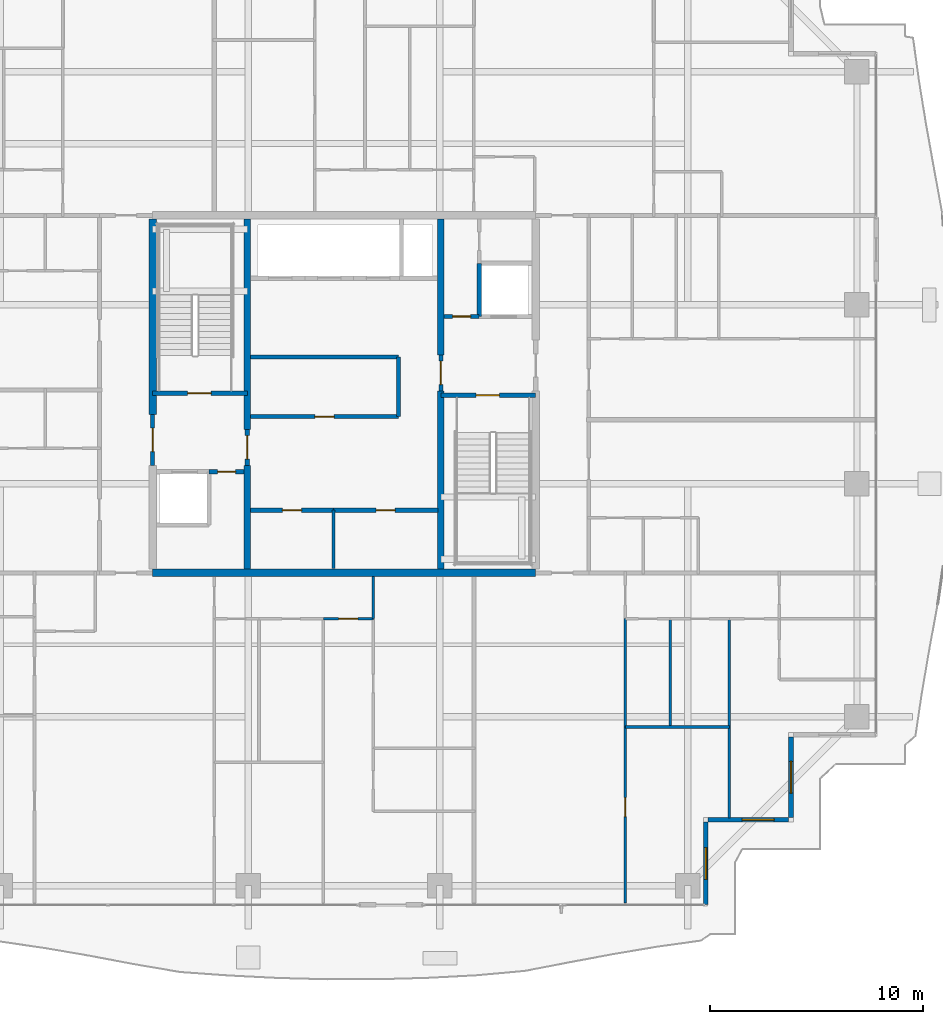
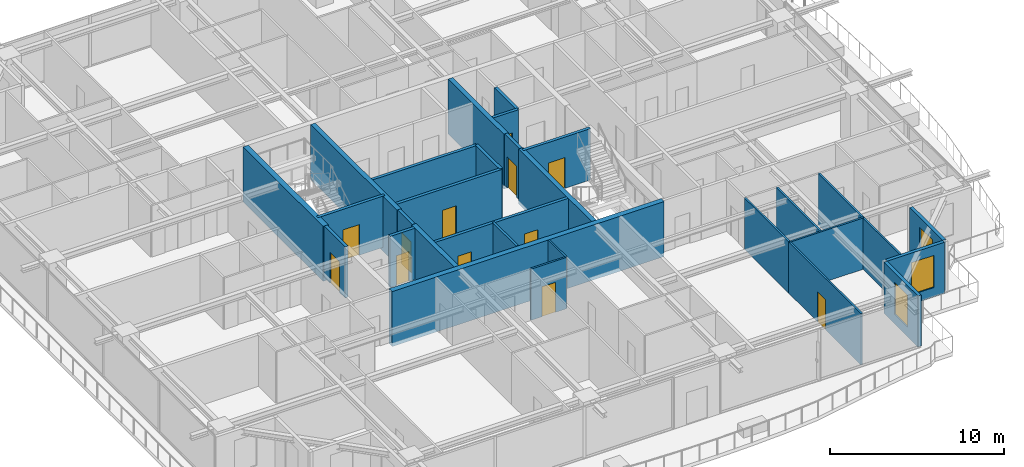
# One storey, part 27 of 38: 30 walls, 12 doors, 3 windows, 15 openings.
"""IFC4 building model written with IfcOpenShell, lengths in metres."""

from ifc_helpers import new_model, si_unit, direction, frame, frame_2d, origin, place, context, subcontext, project, spatial, rectangle, extrude, source, transform, mapped, material, layer, layer_set, type_object, element, fill, save


model = new_model("IFC4")

# Units and contexts
model_context = context("Model", 3, precision=1e-05, world=origin(), true_north=direction((0.0, 1.0)))
body_context = subcontext(model_context, "Body", "Model", "MODEL_VIEW")
ifc_project = project(units=[si_unit("LENGTHUNIT", "METRE"), si_unit("AREAUNIT", "SQUARE_METRE"), si_unit("VOLUMEUNIT", "CUBIC_METRE"), si_unit("PLANEANGLEUNIT", "RADIAN"), si_unit("MASSUNIT", "GRAM", prefix="KILO")], contexts=[model_context])

# Site, building, storey
site_placement = place(None, origin())
site = spatial("IfcSite", under=ifc_project, at=site_placement, CompositionType="ELEMENT")
building_placement = place(site_placement, origin())
building = spatial("IfcBuilding", under=site, at=building_placement, Name="Serunith Strait Residences", CompositionType="ELEMENT")
storey_placement = place(building_placement, frame((0.0, 0.0, 229.699951171875)))
storey = spatial("IfcBuildingStorey", under=building, at=storey_placement, Name="L57", CompositionType="ELEMENT", Elevation=229.699951171875)

# Wall, opening, window
ifc_material_1 = material(Name="Pale-Champagne Aluminium Insulated Panel", Category="aluminium")
ifc_layer_1 = layer(ifc_material_1, 0.219970703125, Name="Pale-Champagne Aluminium Insulated Panel")
ifc_layer_set_1 = layer_set([ifc_layer_1], Name="Pale-Champagne Aluminium Insulated Panel")
wall_type_1 = type_object("IfcWallType", Name="EW-ALUM-220", PredefinedType="ELEMENTEDWALL", material=ifc_layer_set_1)
wall_1_placement = place(storey_placement, frame((49.39990234375, 1.199951171875, 0.0), z_axis=(0.0, 0.0, 1.0), x_axis=(0.0, 1.0, 0.0)))
wall_1 = element("IfcWall", 1, at=wall_1_placement, inside=storey, type_object=wall_type_1, Name="L57 Girih Serrated Corner Wall 02", PredefinedType="ELEMENTEDWALL", context=body_context, shape_type="SweptSolid", body=[
    extrude(rectangle(XDim=3.89013671875, YDim=0.219970703125, at=frame_2d((1.945068359375, 0.0))), origin(), (0.0, 0.0, 1.0), 3.574951171875),
])
opening_1_placement = place(wall_1_placement, frame((1.195068359375, 0.0, 0.64990234375)))
opening_1 = element("IfcOpeningElement", 2, at=opening_1_placement, cuts=wall_1, Name="Opening W-05", PredefinedType="OPENING", context=body_context, shape_type="SweptSolid", body=[
    extrude(rectangle(XDim=1.5, YDim=2.25, at=frame_2d((0.75, 1.125))), frame((0.0, 0.1201171875, 0.0), z_axis=(0.0, -1.0, 0.0), x_axis=(1.0, 0.0, 0.0)), (0.0, 0.0, 1.0), 0.239990234375),
])
ifc_material_2 = material(Name="Ceramic-Fritted Operable Aluminium Window Glass", Category="aluminium")
window_type = type_object("IfcWindowType", Name="WIN-C5", PartitioningType="DOUBLE_PANEL_VERTICAL", PredefinedType="WINDOW", material=ifc_material_2)
shared_shape_1 = source(origin(), body_context, "Body", "SweptSolid", [
    extrude(rectangle(XDim=1.5, YDim=2.25, at=frame_2d((0.75, 1.125))), frame((0.0, 0.030029296875, 0.0), z_axis=(0.0, -1.0, 0.0), x_axis=(1.0, 0.0, 0.0)), (0.0, 0.0, 1.0), 0.06005859375),
])
window_1_placement = place(opening_1_placement, origin())
window_1 = element("IfcWindow", 3, at=window_1_placement, inside=storey, type_object=window_type, Name="L57 Corner Operable Fritted Window 02", OverallHeight=2.25, OverallWidth=1.5, PartitioningType="SINGLE_PANEL", PredefinedType="WINDOW", context=body_context, shape_type="MappedRepresentation", body=[
    mapped(shared_shape_1, transform((0.0, 0.0, 0.0), scale=1.0)),
])
fill(opening_1, window_1)

wall_2_placement = place(storey_placement, frame((49.510009765625, 5.199951171875, 0.0), z_axis=(0.0, 0.0, 1.0), x_axis=(1.0, 0.0, 0.0)))
wall_2 = element("IfcWall", 4, at=wall_2_placement, inside=storey, type_object=wall_type_1, Name="L57 Girih Serrated Corner Wall 03", PredefinedType="ELEMENTEDWALL", context=body_context, shape_type="SweptSolid", body=[
    extrude(rectangle(XDim=3.780029296875, YDim=0.219970703125, at=frame_2d((1.89013671875, 0.0))), origin(), (0.0, 0.0, 1.0), 3.574951171875),
])
opening_2_placement = place(wall_2_placement, frame((1.595947265625, 0.0, 0.64990234375)))
opening_2 = element("IfcOpeningElement", 5, at=opening_2_placement, cuts=wall_2, Name="Opening W-05", PredefinedType="OPENING", context=body_context, shape_type="SweptSolid", body=[
    extrude(rectangle(XDim=1.5, YDim=2.25, at=frame_2d((0.75, 1.125))), frame((0.0, 0.1201171875, 0.0), z_axis=(0.0, -1.0, 0.0), x_axis=(1.0, 0.0, 0.0)), (0.0, 0.0, 1.0), 0.239990234375),
])
window_2_placement = place(opening_2_placement, origin())
window_2 = element("IfcWindow", 6, at=window_2_placement, inside=storey, type_object=window_type, Name="L57 Corner Operable Fritted Window 03", OverallHeight=2.25, OverallWidth=1.5, PartitioningType="SINGLE_PANEL", PredefinedType="WINDOW", context=body_context, shape_type="MappedRepresentation", body=[
    mapped(shared_shape_1, transform((0.0, 0.0, 0.0), scale=1.0)),
])
fill(opening_2, window_2)

wall_3_placement = place(storey_placement, frame((53.39990234375, 5.31005859375, 0.0), z_axis=(0.0, 0.0, 1.0), x_axis=(0.0, 1.0, 0.0)))
wall_3 = element("IfcWall", 7, at=wall_3_placement, inside=storey, type_object=wall_type_1, Name="L57 Girih Serrated Corner Wall 04", PredefinedType="ELEMENTEDWALL", context=body_context, shape_type="SweptSolid", body=[
    extrude(rectangle(XDim=3.780029296875, YDim=0.219970703125, at=frame_2d((1.89013671875, 0.0))), origin(), (0.0, 0.0, 1.0), 3.574951171875),
])
opening_3_placement = place(wall_3_placement, frame((1.139892578125, 0.0, 0.64990234375)))
opening_3 = element("IfcOpeningElement", 8, at=opening_3_placement, cuts=wall_3, Name="Opening W-05", PredefinedType="OPENING", context=body_context, shape_type="SweptSolid", body=[
    extrude(rectangle(XDim=1.5, YDim=2.25, at=frame_2d((0.75, 1.125))), frame((0.0, 0.1201171875, 0.0), z_axis=(0.0, -1.0, 0.0), x_axis=(1.0, 0.0, 0.0)), (0.0, 0.0, 1.0), 0.239990234375),
])
window_3_placement = place(opening_3_placement, origin())
window_3 = element("IfcWindow", 9, at=window_3_placement, inside=storey, type_object=window_type, Name="L57 Corner Operable Fritted Window 04", OverallHeight=2.25, OverallWidth=1.5, PartitioningType="SINGLE_PANEL", PredefinedType="WINDOW", context=body_context, shape_type="MappedRepresentation", body=[
    mapped(shared_shape_1, transform((0.0, 0.0, 0.0), scale=1.0)),
])
fill(opening_3, window_3)

# Wall
ifc_material_3 = material(Name="Fire-rated masonry service closet wall", Category="masonry")
ifc_layer_2 = layer(ifc_material_3, 0.14990234375, Name="Fire-rated masonry service closet wall")
ifc_layer_set_2 = layer_set([ifc_layer_2], Name="Fire-rated masonry service closet wall")
wall_type_2 = type_object("IfcWallType", Name="IW-BOH-150", PredefinedType="PARTITIONING", material=ifc_layer_set_2)
wall_4_placement = place(storey_placement, frame((31.89990234375, 17.02001953125, 0.0), z_axis=(0.0, 0.0, 1.0), x_axis=(0.0, 1.0, 0.0)))
element("IfcWall", 10, at=wall_4_placement, inside=storey, type_object=wall_type_2, Name="L57 Partition Wall 014", PredefinedType="PARTITIONING", context=body_context, shape_type="SweptSolid", body=[
    extrude(rectangle(XDim=2.72998046875, YDim=0.14990234375, at=frame_2d((1.364990234375, 0.0))), origin(), (0.0, 0.0, 1.0), 3.590087890625),
])

# Wall, opening, door
ifc_material_4 = material(Name="Lightweight steel-stud gypsum partition", Category="steel")
ifc_layer_3 = layer(ifc_material_4, 0.1201171875, Name="Lightweight steel-stud gypsum partition")
ifc_layer_set_3 = layer_set([ifc_layer_3], Name="Lightweight steel-stud gypsum partition")
wall_type_3 = type_object("IfcWallType", Name="IW-PART-120", PredefinedType="PARTITIONING", material=ifc_layer_set_3)
wall_5_placement = place(storey_placement, frame((31.422119140625, 14.64990234375, 0.0), z_axis=(0.0, 0.0, 1.0), x_axis=(1.0, 0.0, 0.0)))
wall_5 = element("IfcWall", 11, at=wall_5_placement, inside=storey, type_object=wall_type_3, Name="L57 Partition Wall 048", PredefinedType="PARTITIONING", context=body_context, shape_type="SweptSolid", body=[
    extrude(rectangle(XDim=2.347900390625, YDim=0.1201171875, at=frame_2d((1.173828125, 0.0))), origin(), (0.0, 0.0, 1.0), 3.590087890625),
])
opening_4_placement = place(wall_5_placement, frame((0.72412109375, 0.0, 0.0)))
opening_4 = element("IfcOpeningElement", 12, at=opening_4_placement, cuts=wall_5, Name="Opening D-RM900", PredefinedType="OPENING", context=body_context, shape_type="SweptSolid", body=[
    extrude(rectangle(XDim=0.89990234375, YDim=2.10009765625, at=frame_2d((0.449951171875, 1.050048828125))), frame((0.0, 0.070068359375, 0.0), z_axis=(0.0, -1.0, 0.0), x_axis=(1.0, 0.0, 0.0)), (0.0, 0.0, 1.0), 0.14013671875),
])
ifc_material_5 = material(Name="Engineered timber flush bedroom door", Category="wood")
door_type_1 = type_object("IfcDoorType", Name="ID-ROOM-900", OperationType="NOTDEFINED", PredefinedType="DOOR", material=ifc_material_5)
shared_shape_2 = source(origin(), body_context, "Body", "SweptSolid", [
    extrude(rectangle(XDim=0.89990234375, YDim=2.10009765625, at=frame_2d((0.449951171875, 1.050048828125))), frame((0.0, 0.02490234375, 0.0), z_axis=(0.0, -1.0, 0.0), x_axis=(1.0, 0.0, 0.0)), (0.0, 0.0, 1.0), 0.050048828125),
])
door_1_placement = place(opening_4_placement, origin())
door_1 = element("IfcDoor", 13, at=door_1_placement, inside=storey, type_object=door_type_1, Name="L57 Master Bedroom E 5701 Door", OperationType="SINGLE_SWING_LEFT", OverallHeight=2.10009765625, OverallWidth=0.89990234375, PredefinedType="DOOR", context=body_context, shape_type="MappedRepresentation", body=[
    mapped(shared_shape_2, transform((0.0, 0.0, 0.0), scale=1.0)),
])
fill(opening_4, door_1)

# Wall
wall_6_placement = place(storey_placement, frame((33.77001953125, 14.652099609375, 0.0), z_axis=(0.0, 0.0, 1.0), x_axis=(0.0, 1.0, 0.0)))
element("IfcWall", 14, at=wall_6_placement, inside=storey, type_object=wall_type_3, Name="L57 Partition Wall 053", PredefinedType="PARTITIONING", context=body_context, shape_type="SweptSolid", body=[
    extrude(rectangle(XDim=1.972900390625, YDim=0.1201171875, at=frame_2d((0.986328125, 0.0))), origin(), (0.0, 0.0, 1.0), 3.590087890625),
])

# Wall, opening, door
wall_7_placement = place(storey_placement, frame((45.6201171875, 1.294921875, 0.0), z_axis=(0.0, 0.0, 1.0), x_axis=(0.0, 1.0, 0.0)))
wall_7 = element("IfcWall", 15, at=wall_7_placement, inside=storey, type_object=wall_type_3, Name="L57 Partition Wall 055", PredefinedType="PARTITIONING", context=body_context, shape_type="SweptSolid", body=[
    extrude(rectangle(XDim=8.26416015625, YDim=0.1201171875, at=frame_2d((4.132080078125, 0.0))), origin(), (0.0, 0.0, 1.0), 3.590087890625),
])
opening_5_placement = place(wall_7_placement, frame((4.050048828125, 0.0, 0.0)))
opening_5 = element("IfcOpeningElement", 16, at=opening_5_placement, cuts=wall_7, Name="Opening D-RM900", PredefinedType="OPENING", context=body_context, shape_type="SweptSolid", body=[
    extrude(rectangle(XDim=0.89990234375, YDim=2.10009765625, at=frame_2d((0.449951171875, 1.050048828125))), frame((0.0, 0.070068359375, 0.0), z_axis=(0.0, -1.0, 0.0), x_axis=(1.0, 0.0, 0.0)), (0.0, 0.0, 1.0), 0.14013671875),
])
door_2_placement = place(opening_5_placement, origin())
door_2 = element("IfcDoor", 17, at=door_2_placement, inside=storey, type_object=door_type_1, Name="L57 Formal Dining Room 1 5702 Door", OperationType="SINGLE_SWING_LEFT", OverallHeight=2.10009765625, OverallWidth=0.89990234375, PredefinedType="DOOR", context=body_context, shape_type="MappedRepresentation", body=[
    mapped(shared_shape_2, transform((0.0, 0.0, 0.0), scale=1.0)),
])
fill(opening_5, door_2)

# Walls
wall_8_placement = place(storey_placement, frame((45.6201171875, 9.56103515625, 0.0), z_axis=(0.0, 0.0, 1.0), x_axis=(0.0, 1.0, 0.0)))
element("IfcWall", 18, at=wall_8_placement, inside=storey, type_object=wall_type_3, Name="L57 Partition Wall 056", PredefinedType="PARTITIONING", context=body_context, shape_type="SweptSolid", body=[
    extrude(rectangle(XDim=5.0869140625, YDim=0.1201171875, at=frame_2d((2.54345703125, 0.0))), origin(), (0.0, 0.0, 1.0), 3.590087890625),
])
wall_9_placement = place(storey_placement, frame((45.6201171875, 9.55908203125, 0.0), z_axis=(0.0, 0.0, 1.0), x_axis=(1.0, 0.0, 0.0)))
element("IfcWall", 19, at=wall_9_placement, inside=storey, type_object=wall_type_3, Name="L57 Partition Wall 057", PredefinedType="PARTITIONING", context=body_context, shape_type="SweptSolid", body=[
    extrude(rectangle(XDim=4.8798828125, YDim=0.1201171875, at=frame_2d((2.43994140625, 0.0))), origin(), (0.0, 0.0, 1.0), 3.590087890625),
])
wall_10_placement = place(storey_placement, frame((50.5, 5.294921875, 0.0), z_axis=(0.0, 0.0, 1.0), x_axis=(0.0, 1.0, 0.0)))
element("IfcWall", 20, at=wall_10_placement, inside=storey, type_object=wall_type_3, Name="L57 Partition Wall 058", PredefinedType="PARTITIONING", context=body_context, shape_type="SweptSolid", body=[
    extrude(rectangle(XDim=9.35498046875, YDim=0.1201171875, at=frame_2d((4.677490234375, 0.0))), origin(), (0.0, 0.0, 1.0), 3.590087890625),
])
wall_11_placement = place(storey_placement, frame((47.719970703125, 9.55908203125, 0.0), z_axis=(0.0, 0.0, 1.0), x_axis=(0.0, 1.0, 0.0)))
element("IfcWall", 21, at=wall_11_placement, inside=storey, type_object=wall_type_3, Name="L57 Partition Wall 059", PredefinedType="PARTITIONING", context=body_context, shape_type="SweptSolid", body=[
    extrude(rectangle(XDim=5.0908203125, YDim=0.1201171875, at=frame_2d((2.54541015625, 0.0))), origin(), (0.0, 0.0, 1.0), 3.590087890625),
])

# Wall, opening, door
ifc_material_6 = material(Name="Autoclaved aerated concrete blockwork", Category="masonry")
ifc_layer_4 = layer(ifc_material_6, 0.199951171875, Name="Autoclaved aerated concrete blockwork")
ifc_layer_set_4 = layer_set([ifc_layer_4], Name="Autoclaved aerated concrete blockwork")
wall_type_4 = type_object("IfcWallType", Name="IW-SHAFT-200", PredefinedType="STANDARD", material=ifc_layer_set_4)
wall_12_placement = place(storey_placement, frame((23.39990234375, 25.25, 0.0), z_axis=(0.0, 0.0, 1.0), x_axis=(1.0, 0.0, 0.0)))
wall_12 = element("IfcWall", 22, at=wall_12_placement, inside=storey, type_object=wall_type_4, Name="L57 ST-1 South Shaft Wall", PredefinedType="STANDARD", context=body_context, shape_type="SweptSolid", body=[
    extrude(rectangle(XDim=4.4501953125, YDim=0.199951171875, at=frame_2d((2.22509765625, 0.0))), origin(), (0.0, 0.0, 1.0), 3.590087890625),
])
opening_6_placement = place(wall_12_placement, frame((1.64990234375, 0.0, 0.0)))
opening_6 = element("IfcOpeningElement", 23, at=opening_6_placement, cuts=wall_12, Name="Opening FD-1100", PredefinedType="OPENING", context=body_context, shape_type="SweptSolid", body=[
    extrude(rectangle(XDim=1.10009765625, YDim=2.14990234375, at=frame_2d((0.550048828125, 1.074951171875))), frame((0.0, 0.10986328125, 0.0), z_axis=(0.0, -1.0, 0.0), x_axis=(1.0, 0.0, 0.0)), (0.0, 0.0, 1.0), 0.219970703125),
])
ifc_material_7 = material(Name="Galvanised steel fire door leaf", Category="steel")
door_type_2 = type_object("IfcDoorType", Name="FD-STAIR-1100", OperationType="NOTDEFINED", PredefinedType="DOOR", material=ifc_material_7)
shared_shape_3 = source(origin(), body_context, "Body", "SweptSolid", [
    extrude(rectangle(XDim=1.10009765625, YDim=2.14990234375, at=frame_2d((0.550048828125, 1.074951171875))), frame((0.0, 0.02490234375, 0.0), z_axis=(0.0, -1.0, 0.0), x_axis=(1.0, 0.0, 0.0)), (0.0, 0.0, 1.0), 0.050048828125),
])
door_3_placement = place(opening_6_placement, origin())
door_3 = element("IfcDoor", 24, at=door_3_placement, inside=storey, type_object=door_type_2, Name="L57 ST-1 Escape Stair Door", OperationType="SINGLE_SWING_LEFT", OverallHeight=2.14990234375, OverallWidth=1.10009765625, PredefinedType="DOOR", context=body_context, shape_type="MappedRepresentation", body=[
    mapped(shared_shape_3, transform((0.0, 0.0, 0.0), scale=1.0)),
])
fill(opening_6, door_3)

wall_13_placement = place(storey_placement, frame((36.949951171875, 25.14990234375, 0.0), z_axis=(0.0, 0.0, 1.0), x_axis=(1.0, 0.0, 0.0)))
wall_13 = element("IfcWall", 25, at=wall_13_placement, inside=storey, type_object=wall_type_4, Name="L57 ST-2 North Shaft Wall", PredefinedType="STANDARD", context=body_context, shape_type="SweptSolid", body=[
    extrude(rectangle(XDim=4.449951171875, YDim=0.199951171875, at=frame_2d((2.22509765625, 0.0))), origin(), (0.0, 0.0, 1.0), 3.590087890625),
])
opening_7_placement = place(wall_13_placement, frame((1.64990234375, 0.0, 0.0)))
opening_7 = element("IfcOpeningElement", 26, at=opening_7_placement, cuts=wall_13, Name="Opening FD-1100", PredefinedType="OPENING", context=body_context, shape_type="SweptSolid", body=[
    extrude(rectangle(XDim=1.10009765625, YDim=2.14990234375, at=frame_2d((0.550048828125, 1.074951171875))), frame((0.0, 0.10986328125, 0.0), z_axis=(0.0, -1.0, 0.0), x_axis=(1.0, 0.0, 0.0)), (0.0, 0.0, 1.0), 0.219970703125),
])
door_4_placement = place(opening_7_placement, origin())
door_4 = element("IfcDoor", 27, at=door_4_placement, inside=storey, type_object=door_type_2, Name="L57 ST-2 Escape Stair Door", OperationType="SINGLE_SWING_RIGHT", OverallHeight=2.14990234375, OverallWidth=1.10009765625, PredefinedType="DOOR", context=body_context, shape_type="MappedRepresentation", body=[
    mapped(shared_shape_3, transform((0.0, 0.0, 0.0), scale=1.0)),
])
fill(opening_7, door_4)

wall_14_placement = place(storey_placement, frame((26.052001953125, 21.550048828125, 0.0), z_axis=(0.0, 0.0, 1.0), x_axis=(1.0, 0.0, 0.0)))
wall_14 = element("IfcWall", 28, at=wall_14_placement, inside=storey, type_object=wall_type_4, Name="L57 Partition Wall 003", PredefinedType="STANDARD", context=body_context, shape_type="SweptSolid", body=[
    extrude(rectangle(XDim=1.64794921875, YDim=0.199951171875, at=frame_2d((0.823974609375, 0.0))), origin(), (0.0, 0.0, 1.0), 3.590087890625),
])
opening_8_placement = place(wall_14_placement, frame((0.39892578125, 0.0, 0.0)))
opening_8 = element("IfcOpeningElement", 29, at=opening_8_placement, cuts=wall_14, Name="Opening FD-850", PredefinedType="OPENING", context=body_context, shape_type="SweptSolid", body=[
    extrude(rectangle(XDim=0.85009765625, YDim=2.10009765625, at=frame_2d((0.425048828125, 1.050048828125))), frame((0.0, 0.10986328125, 0.0), z_axis=(0.0, -1.0, 0.0), x_axis=(1.0, 0.0, 0.0)), (0.0, 0.0, 1.0), 0.219970703125),
])
ifc_material_8 = material(Name="Powder-coated steel service closet door", Category="steel")
door_type_3 = type_object("IfcDoorType", Name="FD-BOH-850", OperationType="NOTDEFINED", PredefinedType="DOOR", material=ifc_material_8)
shared_shape_4 = source(origin(), body_context, "Body", "SweptSolid", [
    extrude(rectangle(XDim=0.85009765625, YDim=2.10009765625, at=frame_2d((0.425048828125, 1.050048828125))), frame((0.0, 0.02490234375, 0.0), z_axis=(0.0, -1.0, 0.0), x_axis=(1.0, 0.0, 0.0)), (0.0, 0.0, 1.0), 0.050048828125),
])
door_5_placement = place(opening_8_placement, origin())
door_5 = element("IfcDoor", 30, at=door_5_placement, inside=storey, type_object=door_type_3, Name="L57 South-West Core Service Door", OperationType="SINGLE_SWING_LEFT", OverallHeight=2.10009765625, OverallWidth=0.85009765625, PredefinedType="DOOR", context=body_context, shape_type="MappedRepresentation", body=[
    mapped(shared_shape_4, transform((0.0, 0.0, 0.0), scale=1.0)),
])
fill(opening_8, door_5)

# Wall
wall_15_placement = place(storey_placement, frame((38.75, 28.85009765625, 0.0), z_axis=(0.0, 0.0, 1.0), x_axis=(0.0, 1.0, 0.0)))
element("IfcWall", 31, at=wall_15_placement, inside=storey, type_object=wall_type_4, Name="L57 Partition Wall 004", PredefinedType="STANDARD", context=body_context, shape_type="SweptSolid", body=[
    extrude(rectangle(XDim=2.5, YDim=0.199951171875, at=frame_2d((1.25, 0.0))), origin(), (0.0, 0.0, 1.0), 3.590087890625),
])

# Wall, opening, door
wall_16_placement = place(storey_placement, frame((37.10009765625, 28.85009765625, 0.0), z_axis=(0.0, 0.0, 1.0), x_axis=(1.0, 0.0, 0.0)))
wall_16 = element("IfcWall", 32, at=wall_16_placement, inside=storey, type_object=wall_type_4, Name="L57 Partition Wall 006", PredefinedType="STANDARD", context=body_context, shape_type="SweptSolid", body=[
    extrude(rectangle(XDim=1.64794921875, YDim=0.199951171875, at=frame_2d((0.823974609375, 0.0))), origin(), (0.0, 0.0, 1.0), 3.590087890625),
])
opening_9_placement = place(wall_16_placement, frame((0.39892578125, 0.0, 0.0)))
opening_9 = element("IfcOpeningElement", 33, at=opening_9_placement, cuts=wall_16, Name="Opening FD-850", PredefinedType="OPENING", context=body_context, shape_type="SweptSolid", body=[
    extrude(rectangle(XDim=0.85009765625, YDim=2.10009765625, at=frame_2d((0.425048828125, 1.050048828125))), frame((0.0, 0.10986328125, 0.0), z_axis=(0.0, -1.0, 0.0), x_axis=(1.0, 0.0, 0.0)), (0.0, 0.0, 1.0), 0.219970703125),
])
door_6_placement = place(opening_9_placement, origin())
door_6 = element("IfcDoor", 34, at=door_6_placement, inside=storey, type_object=door_type_3, Name="L57 North-East Core Service Door", OperationType="SINGLE_SWING_RIGHT", OverallHeight=2.10009765625, OverallWidth=0.85009765625, PredefinedType="DOOR", context=body_context, shape_type="MappedRepresentation", body=[
    mapped(shared_shape_4, transform((0.0, 0.0, 0.0), scale=1.0)),
])
fill(opening_9, door_6)

wall_17_placement = place(storey_placement, frame((23.39990234375, 21.85205078125, 0.0), z_axis=(0.0, 0.0, 1.0), x_axis=(0.0, 1.0, 0.0)))
wall_17 = element("IfcWall", 35, at=wall_17_placement, inside=storey, type_object=wall_type_4, Name="L57 Partition Wall 007", PredefinedType="STANDARD", context=body_context, shape_type="SweptSolid", body=[
    extrude(rectangle(XDim=2.39599609375, YDim=0.199951171875, at=frame_2d((1.197998046875, 0.0))), origin(), (0.0, 0.0, 1.0), 3.590087890625),
])
opening_10_placement = place(wall_17_placement, frame((0.64794921875, 0.0, 0.0)))
opening_10 = element("IfcOpeningElement", 36, at=opening_10_placement, cuts=wall_17, Name="Opening FD-FFL", PredefinedType="OPENING", context=body_context, shape_type="SweptSolid", body=[
    extrude(rectangle(XDim=1.10009765625, YDim=2.14990234375, at=frame_2d((0.550048828125, 1.074951171875))), frame((0.0, 0.10986328125, 0.0), z_axis=(0.0, -1.0, 0.0), x_axis=(1.0, 0.0, 0.0)), (0.0, 0.0, 1.0), 0.219970703125),
])
ifc_material_9 = material(Name="Glazed steel smoke-lobby fire door", Category="steel")
door_type_4 = type_object("IfcDoorType", Name="FD-FFL-1100", OperationType="NOTDEFINED", PredefinedType="DOOR", material=ifc_material_9)
door_7_placement = place(opening_10_placement, origin())
door_7 = element("IfcDoor", 37, at=door_7_placement, inside=storey, type_object=door_type_4, Name="L57 FFL-1 Corridor Fire Door", OperationType="SINGLE_SWING_LEFT", OverallHeight=2.14990234375, OverallWidth=1.10009765625, PredefinedType="DOOR", context=body_context, shape_type="MappedRepresentation", body=[
    mapped(shared_shape_3, transform((0.0, 0.0, 0.0), scale=1.0)),
])
fill(opening_10, door_7)

wall_18_placement = place(storey_placement, frame((27.85009765625, 21.85205078125, 0.0), z_axis=(0.0, 0.0, 1.0), x_axis=(0.0, 1.0, 0.0)))
wall_18 = element("IfcWall", 38, at=wall_18_placement, inside=storey, type_object=wall_type_4, Name="L57 Partition Wall 009", PredefinedType="STANDARD", context=body_context, shape_type="SweptSolid", body=[
    extrude(rectangle(XDim=1.696044921875, YDim=0.199951171875, at=frame_2d((0.84814453125, 0.0))), origin(), (0.0, 0.0, 1.0), 3.590087890625),
])
opening_11_placement = place(wall_18_placement, frame((0.298095703125, 0.0, 0.0)))
opening_11 = element("IfcOpeningElement", 39, at=opening_11_placement, cuts=wall_18, Name="Opening FD-FFL", PredefinedType="OPENING", context=body_context, shape_type="SweptSolid", body=[
    extrude(rectangle(XDim=1.10009765625, YDim=2.14990234375, at=frame_2d((0.550048828125, 1.074951171875))), frame((0.0, 0.10986328125, 0.0), z_axis=(0.0, -1.0, 0.0), x_axis=(1.0, 0.0, 0.0)), (0.0, 0.0, 1.0), 0.219970703125),
])
door_8_placement = place(opening_11_placement, origin())
door_8 = element("IfcDoor", 40, at=door_8_placement, inside=storey, type_object=door_type_4, Name="L57 FFL-1 Lift Lobby Door", OperationType="SINGLE_SWING_LEFT", OverallHeight=2.14990234375, OverallWidth=1.10009765625, PredefinedType="DOOR", context=body_context, shape_type="MappedRepresentation", body=[
    mapped(shared_shape_3, transform((0.0, 0.0, 0.0), scale=1.0)),
])
fill(opening_11, door_8)

wall_19_placement = place(storey_placement, frame((36.949951171875, 25.35205078125, 0.0), z_axis=(0.0, 0.0, 1.0), x_axis=(0.0, 1.0, 0.0)))
wall_19 = element("IfcWall", 41, at=wall_19_placement, inside=storey, type_object=wall_type_4, Name="L57 Partition Wall 010", PredefinedType="STANDARD", context=body_context, shape_type="SweptSolid", body=[
    extrude(rectangle(XDim=1.696044921875, YDim=0.199951171875, at=frame_2d((0.84814453125, 0.0))), origin(), (0.0, 0.0, 1.0), 3.590087890625),
])
opening_12_placement = place(wall_19_placement, frame((0.298095703125, 0.0, 0.0)))
opening_12 = element("IfcOpeningElement", 42, at=opening_12_placement, cuts=wall_19, Name="Opening FD-FFL", PredefinedType="OPENING", context=body_context, shape_type="SweptSolid", body=[
    extrude(rectangle(XDim=1.10009765625, YDim=2.14990234375, at=frame_2d((0.550048828125, 1.074951171875))), frame((0.0, 0.10986328125, 0.0), z_axis=(0.0, -1.0, 0.0), x_axis=(1.0, 0.0, 0.0)), (0.0, 0.0, 1.0), 0.219970703125),
])
door_9_placement = place(opening_12_placement, origin())
door_9 = element("IfcDoor", 43, at=door_9_placement, inside=storey, type_object=door_type_4, Name="L57 FFL-2 Lift Lobby Door", OperationType="SINGLE_SWING_RIGHT", OverallHeight=2.14990234375, OverallWidth=1.10009765625, PredefinedType="DOOR", context=body_context, shape_type="MappedRepresentation", body=[
    mapped(shared_shape_3, transform((0.0, 0.0, 0.0), scale=1.0)),
])
fill(opening_12, door_9)

wall_20_placement = place(storey_placement, frame((28.0, 19.75, 0.0), z_axis=(0.0, 0.0, 1.0), x_axis=(1.0, 0.0, 0.0)))
wall_20 = element("IfcWall", 44, at=wall_20_placement, inside=storey, type_object=wall_type_4, Name="L57 Partition Wall 012", PredefinedType="STANDARD", context=body_context, shape_type="SweptSolid", body=[
    extrude(rectangle(XDim=3.89990234375, YDim=0.199951171875, at=frame_2d((1.949951171875, 0.0))), origin(), (0.0, 0.0, 1.0), 3.590087890625),
])
opening_13_placement = place(wall_20_placement, frame((1.5, 0.0, 0.0)))
opening_13 = element("IfcOpeningElement", 45, at=opening_13_placement, cuts=wall_20, Name="Opening FD-900", PredefinedType="OPENING", context=body_context, shape_type="SweptSolid", body=[
    extrude(rectangle(XDim=0.89990234375, YDim=2.10009765625, at=frame_2d((0.449951171875, 1.050048828125))), frame((0.0, 0.10986328125, 0.0), z_axis=(0.0, -1.0, 0.0), x_axis=(1.0, 0.0, 0.0)), (0.0, 0.0, 1.0), 0.219970703125),
])
ifc_material_10 = material(Name="Powder-coated steel riser door", Category="steel")
door_type_5 = type_object("IfcDoorType", Name="FD-BOH-900", OperationType="NOTDEFINED", PredefinedType="DOOR", material=ifc_material_10)
door_10_placement = place(opening_13_placement, origin())
door_10 = element("IfcDoor", 46, at=door_10_placement, inside=storey, type_object=door_type_5, Name="L57 Housekeeping Store Door", OperationType="SINGLE_SWING_RIGHT", OverallHeight=2.10009765625, OverallWidth=0.89990234375, PredefinedType="DOOR", context=body_context, shape_type="MappedRepresentation", body=[
    mapped(shared_shape_2, transform((0.0, 0.0, 0.0), scale=1.0)),
])
fill(opening_13, door_10)

wall_21_placement = place(storey_placement, frame((31.902099609375, 19.75, 0.0), z_axis=(0.0, 0.0, 1.0), x_axis=(1.0, 0.0, 0.0)))
wall_21 = element("IfcWall", 47, at=wall_21_placement, inside=storey, type_object=wall_type_4, Name="L57 Partition Wall 013", PredefinedType="STANDARD", context=body_context, shape_type="SweptSolid", body=[
    extrude(rectangle(XDim=4.89794921875, YDim=0.199951171875, at=frame_2d((2.448974609375, 0.0))), origin(), (0.0, 0.0, 1.0), 3.590087890625),
])
opening_14_placement = place(wall_21_placement, frame((1.9990234375, 0.0, 0.0)))
opening_14 = element("IfcOpeningElement", 48, at=opening_14_placement, cuts=wall_21, Name="Opening FD-900", PredefinedType="OPENING", context=body_context, shape_type="SweptSolid", body=[
    extrude(rectangle(XDim=0.89990234375, YDim=2.10009765625, at=frame_2d((0.449951171875, 1.050048828125))), frame((0.0, 0.10986328125, 0.0), z_axis=(0.0, -1.0, 0.0), x_axis=(1.0, 0.0, 0.0)), (0.0, 0.0, 1.0), 0.219970703125),
])
door_11_placement = place(opening_14_placement, origin())
door_11 = element("IfcDoor", 49, at=door_11_placement, inside=storey, type_object=door_type_5, Name="L57 High-Rise Meter Door", OperationType="SINGLE_SWING_LEFT", OverallHeight=2.10009765625, OverallWidth=0.89990234375, PredefinedType="DOOR", context=body_context, shape_type="MappedRepresentation", body=[
    mapped(shared_shape_2, transform((0.0, 0.0, 0.0), scale=1.0)),
])
fill(opening_14, door_11)

# Walls
wall_22_placement = place(storey_placement, frame((28.0, 26.949951171875, 0.0), z_axis=(0.0, 0.0, 1.0), x_axis=(1.0, 0.0, 0.0)))
element("IfcWall", 50, at=wall_22_placement, inside=storey, type_object=wall_type_4, Name="L57 Partition Wall 015", PredefinedType="STANDARD", context=body_context, shape_type="SweptSolid", body=[
    extrude(rectangle(XDim=6.949951171875, YDim=0.199951171875, at=frame_2d((3.47509765625, 0.0))), origin(), (0.0, 0.0, 1.0), 3.590087890625),
])
wall_23_placement = place(storey_placement, frame((34.949951171875, 24.14990234375, 0.0), z_axis=(0.0, 0.0, 1.0), x_axis=(0.0, 1.0, 0.0)))
element("IfcWall", 51, at=wall_23_placement, inside=storey, type_object=wall_type_4, Name="L57 Partition Wall 016", PredefinedType="STANDARD", context=body_context, shape_type="SweptSolid", body=[
    extrude(rectangle(XDim=2.800048828125, YDim=0.199951171875, at=frame_2d((1.39990234375, 0.0))), origin(), (0.0, 0.0, 1.0), 3.590087890625),
])

# Wall, opening, door
wall_24_placement = place(storey_placement, frame((28.0, 24.14990234375, 0.0), z_axis=(0.0, 0.0, 1.0), x_axis=(1.0, 0.0, 0.0)))
wall_24 = element("IfcWall", 52, at=wall_24_placement, inside=storey, type_object=wall_type_4, Name="L57 Partition Wall 017", PredefinedType="STANDARD", context=body_context, shape_type="SweptSolid", body=[
    extrude(rectangle(XDim=6.949951171875, YDim=0.199951171875, at=frame_2d((3.47509765625, 0.0))), origin(), (0.0, 0.0, 1.0), 3.590087890625),
])
opening_15_placement = place(wall_24_placement, frame((3.02490234375, 0.0, 0.0)))
opening_15 = element("IfcOpeningElement", 53, at=opening_15_placement, cuts=wall_24, Name="Opening FD-900", PredefinedType="OPENING", context=body_context, shape_type="SweptSolid", body=[
    extrude(rectangle(XDim=0.89990234375, YDim=2.10009765625, at=frame_2d((0.449951171875, 1.050048828125))), frame((0.0, 0.10986328125, 0.0), z_axis=(0.0, -1.0, 0.0), x_axis=(1.0, 0.0, 0.0)), (0.0, 0.0, 1.0), 0.219970703125),
])
door_12_placement = place(opening_15_placement, origin())
door_12 = element("IfcDoor", 54, at=door_12_placement, inside=storey, type_object=door_type_5, Name="L57 Heat Exchanger Plant Door", OperationType="SINGLE_SWING_RIGHT", OverallHeight=2.10009765625, OverallWidth=0.89990234375, PredefinedType="DOOR", context=body_context, shape_type="MappedRepresentation", body=[
    mapped(shared_shape_2, transform((0.0, 0.0, 0.0), scale=1.0)),
])
fill(opening_15, door_12)

# Walls
ifc_material_11 = material(Name="Concrete C60/75", Category="concrete")
ifc_layer_5 = layer(ifc_material_11, 0.300048828125, Name="Concrete C60/75")
ifc_layer_set_5 = layer_set([ifc_layer_5], Name="Concrete C60/75")
wall_type_5 = type_object("IfcWallType", Name="SW-300-C60", PredefinedType="SHEAR", material=ifc_layer_set_5)
wall_25_placement = place(storey_placement, frame((27.85009765625, 16.97509765625, -0.260009765625), z_axis=(0.0, 0.0, 1.0), x_axis=(0.0, 1.0, 0.0)))
element("IfcWall", 55, at=wall_25_placement, inside=storey, type_object=wall_type_5, Name="L57 Core Internal West Web South Pier", PredefinedType="SHEAR", context=body_context, shape_type="SweptSolid", body=[
    extrude(rectangle(XDim=4.875, YDim=0.300048828125, at=frame_2d((2.4375, 0.0))), origin(), (0.0, 0.0, 1.0), 3.84814453125),
])
wall_26_placement = place(storey_placement, frame((27.85009765625, 23.550048828125, -0.260009765625), z_axis=(0.0, 0.0, 1.0), x_axis=(0.0, 1.0, 0.0)))
element("IfcWall", 56, at=wall_26_placement, inside=storey, type_object=wall_type_5, Name="L57 Core Internal West Web North Pier", PredefinedType="SHEAR", context=body_context, shape_type="SweptSolid", body=[
    extrude(rectangle(XDim=9.875, YDim=0.300048828125, at=frame_2d((4.9375, 0.0))), origin(), (0.0, 0.0, 1.0), 3.84814453125),
])
wall_27_placement = place(storey_placement, frame((36.949951171875, 16.97509765625, -0.260009765625), z_axis=(0.0, 0.0, 1.0), x_axis=(0.0, 1.0, 0.0)))
element("IfcWall", 57, at=wall_27_placement, inside=storey, type_object=wall_type_5, Name="L57 Core Internal East Web South Pier", PredefinedType="SHEAR", context=body_context, shape_type="SweptSolid", body=[
    extrude(rectangle(XDim=8.375, YDim=0.300048828125, at=frame_2d((4.1875, 0.0))), origin(), (0.0, 0.0, 1.0), 3.84814453125),
])
wall_28_placement = place(storey_placement, frame((36.949951171875, 27.050048828125, -0.260009765625), z_axis=(0.0, 0.0, 1.0), x_axis=(0.0, 1.0, 0.0)))
element("IfcWall", 58, at=wall_28_placement, inside=storey, type_object=wall_type_5, Name="L57 Core Internal East Web North Pier", PredefinedType="SHEAR", context=body_context, shape_type="SweptSolid", body=[
    extrude(rectangle(XDim=6.375, YDim=0.300048828125, at=frame_2d((3.1875, 0.0))), origin(), (0.0, 0.0, 1.0), 3.84814453125),
])
ifc_layer_6 = layer(ifc_material_11, 0.35009765625, Name="Concrete C60/75")
ifc_layer_set_6 = layer_set([ifc_layer_6], Name="Concrete C60/75")
wall_type_6 = type_object("IfcWallType", Name="SW-350-C60", PredefinedType="SHEAR", material=ifc_layer_set_6)
wall_29_placement = place(storey_placement, frame((23.39990234375, 16.800048828125, -0.260009765625), z_axis=(0.0, 0.0, 1.0), x_axis=(1.0, 0.0, 0.0)))
element("IfcWall", 59, at=wall_29_placement, inside=storey, type_object=wall_type_6, Name="L57 Core South Shear Wall", PredefinedType="SHEAR", context=body_context, shape_type="SweptSolid", body=[
    extrude(rectangle(XDim=18.0, YDim=0.35009765625, at=frame_2d((9.0, 0.0))), origin(), (0.0, 0.0, 1.0), 3.84814453125),
])
wall_30_placement = place(storey_placement, frame((23.39990234375, 24.25, -0.260009765625), z_axis=(0.0, 0.0, 1.0), x_axis=(0.0, 1.0, 0.0)))
element("IfcWall", 60, at=wall_30_placement, inside=storey, type_object=wall_type_6, Name="L57 Core West Shear Wall North Pier", PredefinedType="SHEAR", context=body_context, shape_type="SweptSolid", body=[
    extrude(rectangle(XDim=9.175048828125, YDim=0.35009765625, at=frame_2d((4.58740234375, 0.0))), origin(), (0.0, 0.0, 1.0), 3.84814453125),
])

save(model, "model.ifc")
